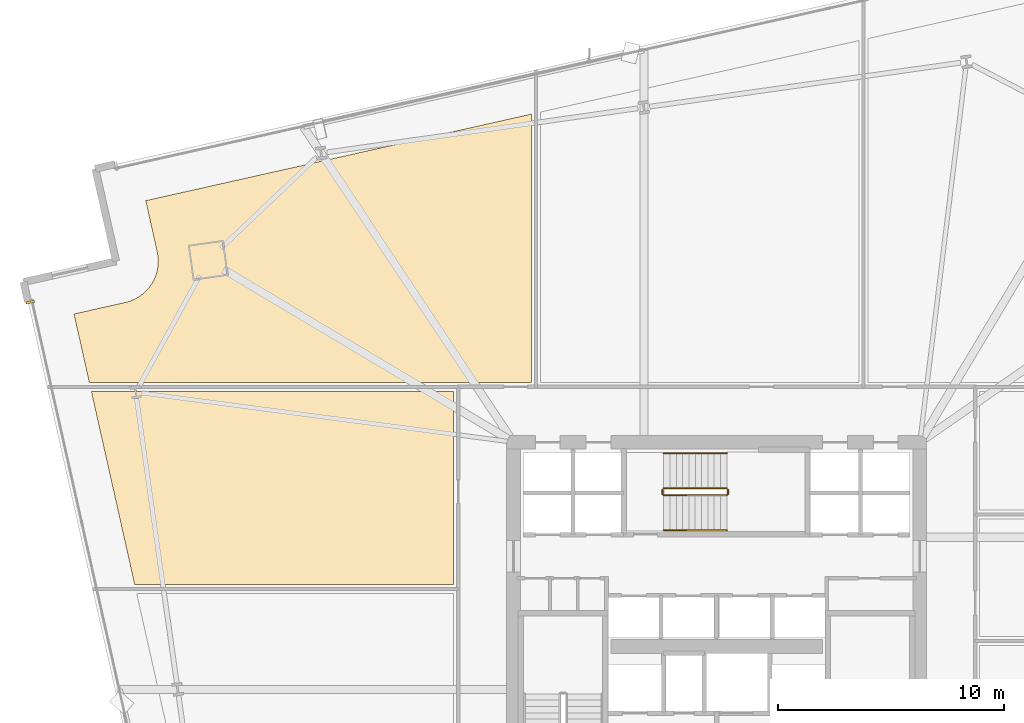
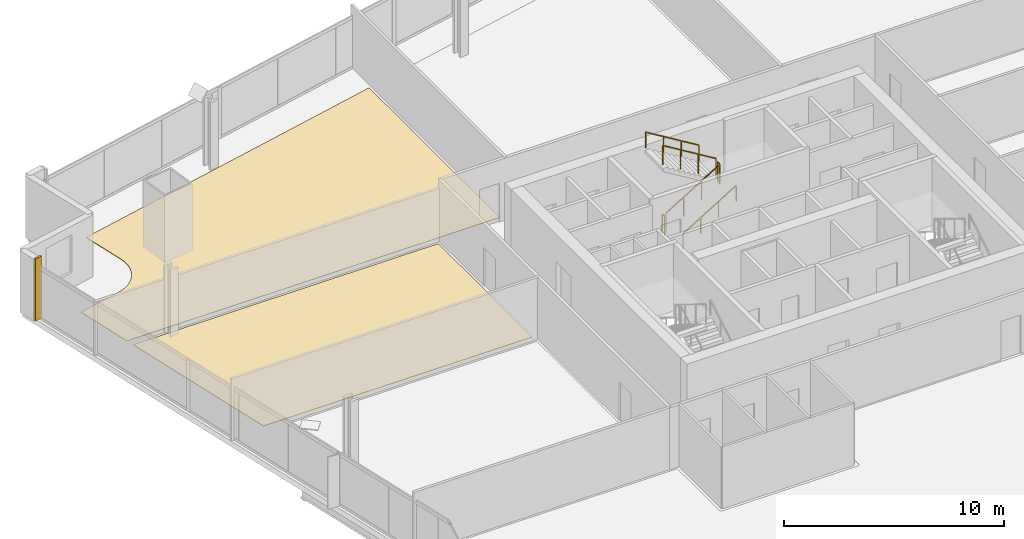
# One storey, part 31 of 32: 6 railings, 3 coverings.
"""IFC4 building model written with IfcOpenShell, lengths in metres."""

from ifc_helpers import new_model, si_unit, direction, frame, origin, origin_2d, place, context, subcontext, project, spatial, polyline, rectangle, outline, extrude, source, transform, mapped, material, layer, layer_set, type_object, element, save


model = new_model("IFC4")

# Units and contexts
model_context = context("Model", 3, precision=1e-05, world=origin(), true_north=direction((0.0, 1.0)))
body_context = subcontext(model_context, "Body", "Model", "MODEL_VIEW")
ifc_project = project(units=[si_unit("LENGTHUNIT", "METRE"), si_unit("AREAUNIT", "SQUARE_METRE"), si_unit("VOLUMEUNIT", "CUBIC_METRE"), si_unit("PLANEANGLEUNIT", "RADIAN"), si_unit("MASSUNIT", "GRAM", prefix="KILO")], contexts=[model_context])

# Site, building, storey
site_placement = place(None, origin())
site = spatial("IfcSite", under=ifc_project, at=site_placement, CompositionType="ELEMENT")
building_placement = place(site_placement, origin())
building = spatial("IfcBuilding", under=site, at=building_placement, Name="Haldenkirk Collegiate Tower", CompositionType="ELEMENT")
storey_placement = place(building_placement, frame((0.0, 0.0, 70.199951171875)))
storey = spatial("IfcBuildingStorey", under=building, at=storey_placement, Name="L16", CompositionType="ELEMENT", Elevation=70.199951171875)

# Coverings
ifc_material_1 = material(Name="Polished collegiate terrazzo", Category="concrete")
ifc_layer_1 = layer(ifc_material_1, 0.02490234375)
ifc_layer_set_1 = layer_set([ifc_layer_1], Name="Polished collegiate terrazzo")
covering_type_1 = type_object("IfcCoveringType", Name="COV-FLOOR-TERRAZZO", PredefinedType="FLOORING", material=ifc_layer_set_1)
covering_1_placement = place(storey_placement, origin())
element("IfcCovering", 1, at=covering_1_placement, inside=storey, type_object=covering_type_1, Name="L16 academic room finish 02", PredefinedType="FLOORING", context=body_context, shape_type="SweptSolid", body=[
    extrude(outline(polyline([(9.80712890625, 40.188232421875), (9.812744140625, 40.189697265625), (9.978271484375, 40.235595703125), (9.989501953125, 40.2392578125), (10.149658203125, 40.301025390625), (10.160400390625, 40.305908203125), (10.313720703125, 40.383056640625), (10.32421875, 40.388916015625), (10.46923828125, 40.480712890625), (10.478759765625, 40.4873046875), (10.6142578125, 40.593017578125), (10.623046875, 40.600830078125), (10.74755859375, 40.71923828125), (10.755615234375, 40.727783203125), (10.867919921875, 40.857666015625), (10.875, 40.866943359375), (10.97412109375, 41.00732421875), (10.980224609375, 41.017333984375), (11.06494140625, 41.166748046875), (11.0703125, 41.17724609375), (11.139892578125, 41.334228515625), (11.14404296875, 41.34521484375), (11.197998046875, 41.50830078125), (11.201171875, 41.519775390625), (11.23876953125, 41.687255859375), (11.24072265625, 41.69873046875), (11.26171875, 41.869384765625), (11.2626953125, 41.881103515625), (11.26708984375, 42.052734375), (11.2666015625, 42.064453125), (11.254150390625, 42.235595703125), (11.252685546875, 42.247314453125), (11.22314453125, 42.416748046875), (11.22216796875, 42.422607421875), (10.7119140625, 44.69580078125), (27.800048828125, 48.53125), (27.800048828125, 36.64990234375), (8.21337890625, 36.64990234375), (7.53369140625, 39.677978515625), (9.80712890625, 40.188232421875)])), origin(), (0.0, 0.0, 1.0), 0.025146484375),
])
covering_2_placement = place(storey_placement, origin())
element("IfcCovering", 2, at=covering_2_placement, inside=storey, type_object=covering_type_1, Name="L16 academic room finish 06", PredefinedType="FLOORING", context=body_context, shape_type="SweptSolid", body=[
    extrude(outline(polyline([(8.302978515625, 36.25), (24.35009765625, 36.25), (24.35009765625, 27.699951171875), (10.22216796875, 27.699951171875), (8.302978515625, 36.25)])), origin(), (0.0, 0.0, 1.0), 0.025146484375),
])

# Railings
ifc_material_2 = material(Name="Painted architectural tubular steel", Category="steel")
railing_type_1 = type_object("IfcRailingType", Name="RLG-STAIR-GUARD-1100", PredefinedType="BALUSTRADE", material=ifc_material_2)
railing_1_placement = place(storey_placement, frame((33.64990234375, 31.64990234375, 0.17041015625)))
element("IfcRailing", 3, at=railing_1_placement, inside=storey, type_object=railing_type_1, Name="L16 ST-3 stair guard 1", PredefinedType="BALUSTRADE", context=body_context, shape_type="SweptSolid", body=[
    extrude(rectangle(XDim=0.048095703125, YDim=0.048095703125, at=origin_2d()), frame((0.0, 0.0, 1.076171875), z_axis=(0.854169791009, 0.0, 0.51999420009), x_axis=(0.0, 1.0, 0.0)), (0.0, 0.0, 1.0), 3.278076171875),
    extrude(rectangle(XDim=0.0419921875, YDim=0.0419921875, at=origin_2d()), origin(), (0.0, 0.0, 1.0), 1.052001953125),
    extrude(rectangle(XDim=0.0419921875, YDim=0.0419921875, at=origin_2d()), frame((0.933349609375, 0.0, 0.568115234375)), (0.0, 0.0, 1.0), 1.052001953125),
    extrude(rectangle(XDim=0.0419921875, YDim=0.0419921875, at=origin_2d()), frame((1.86669921875, 0.0, 1.136474609375)), (0.0, 0.0, 1.0), 1.052001953125),
    extrude(rectangle(XDim=0.0419921875, YDim=0.0419921875, at=origin_2d()), frame((2.800048828125, 0.0, 1.70458984375)), (0.0, 0.0, 1.0), 1.052001953125),
])
railing_2_placement = place(storey_placement, frame((36.5, 31.699951171875, 1.875)))
element("IfcRailing", 4, at=railing_2_placement, inside=storey, type_object=railing_type_1, Name="L16 ST-3 stair guard 2", PredefinedType="BALUSTRADE", context=body_context, shape_type="SweptSolid", body=[
    extrude(rectangle(XDim=0.048095703125, YDim=0.048095703125, at=origin_2d()), frame((0.0, 0.0, 1.076171875), z_axis=(0.0, 1.0, 0.0), x_axis=(-1.0, 0.0, 0.0)), (0.0, 0.0, 1.0), 0.199951171875),
    extrude(rectangle(XDim=0.0419921875, YDim=0.0419921875, at=origin_2d()), origin(), (0.0, 0.0, 1.0), 1.052001953125),
    extrude(rectangle(XDim=0.0419921875, YDim=0.0419921875, at=origin_2d()), frame((0.0, 0.199951171875, 0.0)), (0.0, 0.0, 1.0), 1.052001953125),
])
railing_3_placement = place(storey_placement, frame((36.449951171875, 31.949951171875, 2.04541015625)))
element("IfcRailing", 5, at=railing_3_placement, inside=storey, type_object=railing_type_1, Name="L16 ST-3 stair guard 3", PredefinedType="BALUSTRADE", context=body_context, shape_type="SweptSolid", body=[
    extrude(rectangle(XDim=0.048095703125, YDim=0.048095703125, at=origin_2d()), frame((0.0, 0.0, 1.076171875), z_axis=(-0.854169791009, 0.0, 0.51999420009), x_axis=(0.0, -1.0, 0.0)), (0.0, 0.0, 1.0), 3.278076171875),
    extrude(rectangle(XDim=0.0419921875, YDim=0.0419921875, at=origin_2d()), origin(), (0.0, 0.0, 1.0), 1.052001953125),
    extrude(rectangle(XDim=0.0419921875, YDim=0.0419921875, at=origin_2d()), frame((-0.933349609375, 0.0, 0.568115234375)), (0.0, 0.0, 1.0), 1.052001953125),
    extrude(rectangle(XDim=0.0419921875, YDim=0.0419921875, at=origin_2d()), frame((-1.86669921875, 0.0, 1.136474609375)), (0.0, 0.0, 1.0), 1.052001953125),
    extrude(rectangle(XDim=0.0419921875, YDim=0.0419921875, at=origin_2d()), frame((-2.800048828125, 0.0, 1.70458984375)), (0.0, 0.0, 1.0), 1.052001953125),
])
railing_4_placement = place(storey_placement, frame((33.60009765625, 31.699951171875, 0.0)))
element("IfcRailing", 6, at=railing_4_placement, inside=storey, type_object=railing_type_1, Name="L16 ST-3 stair guard 4", PredefinedType="BALUSTRADE", context=body_context, shape_type="SweptSolid", body=[
    extrude(rectangle(XDim=0.048095703125, YDim=0.048095703125, at=origin_2d()), frame((0.0, 0.0, 1.076171875), z_axis=(0.0, 1.0, 0.0), x_axis=(-1.0, 0.0, 0.0)), (0.0, 0.0, 1.0), 0.199951171875),
    extrude(rectangle(XDim=0.0419921875, YDim=0.0419921875, at=origin_2d()), origin(), (0.0, 0.0, 1.0), 1.052001953125),
    extrude(rectangle(XDim=0.0419921875, YDim=0.0419921875, at=origin_2d()), frame((0.0, 0.199951171875, 0.0)), (0.0, 0.0, 1.0), 1.052001953125),
])
railing_type_2 = type_object("IfcRailingType", Name="RLG-STAIR-HANDRAIL-900", PredefinedType="HANDRAIL", material=ifc_material_2)
railing_5_placement = place(storey_placement, frame((33.64990234375, 30.10009765625, 0.17041015625)))
element("IfcRailing", 7, at=railing_5_placement, inside=storey, type_object=railing_type_2, Name="L16 ST-3 stair handrail 1", PredefinedType="HANDRAIL", context=body_context, shape_type="SweptSolid", body=[
    extrude(rectangle(XDim=0.048095703125, YDim=0.048095703125, at=origin_2d()), frame((0.0, 0.0, 0.8759765625), z_axis=(0.854169791009, 0.0, 0.51999420009), x_axis=(0.0, 1.0, 0.0)), (0.0, 0.0, 1.0), 3.278076171875),
    extrude(rectangle(XDim=0.0419921875, YDim=0.0419921875, at=origin_2d()), origin(), (0.0, 0.0, 1.0), 0.851806640625),
    extrude(rectangle(XDim=0.0419921875, YDim=0.0419921875, at=origin_2d()), frame((0.933349609375, 0.0, 0.568115234375)), (0.0, 0.0, 1.0), 0.851806640625),
    extrude(rectangle(XDim=0.0419921875, YDim=0.0419921875, at=origin_2d()), frame((1.86669921875, 0.0, 1.136474609375)), (0.0, 0.0, 1.0), 0.851806640625),
    extrude(rectangle(XDim=0.0419921875, YDim=0.0419921875, at=origin_2d()), frame((2.800048828125, 0.0, 1.70458984375)), (0.0, 0.0, 1.0), 0.851806640625),
])
railing_6_placement = place(storey_placement, frame((36.449951171875, 33.5, 2.04541015625)))
element("IfcRailing", 8, at=railing_6_placement, inside=storey, type_object=railing_type_2, Name="L16 ST-3 stair handrail 2", PredefinedType="HANDRAIL", context=body_context, shape_type="SweptSolid", body=[
    extrude(rectangle(XDim=0.048095703125, YDim=0.048095703125, at=origin_2d()), frame((0.0, 0.0, 0.8759765625), z_axis=(-0.854169791009, 0.0, 0.51999420009), x_axis=(0.0, -1.0, 0.0)), (0.0, 0.0, 1.0), 3.278076171875),
    extrude(rectangle(XDim=0.0419921875, YDim=0.0419921875, at=origin_2d()), origin(), (0.0, 0.0, 1.0), 0.851806640625),
    extrude(rectangle(XDim=0.0419921875, YDim=0.0419921875, at=origin_2d()), frame((-0.933349609375, 0.0, 0.568115234375)), (0.0, 0.0, 1.0), 0.851806640625),
    extrude(rectangle(XDim=0.0419921875, YDim=0.0419921875, at=origin_2d()), frame((-1.86669921875, 0.0, 1.136474609375)), (0.0, 0.0, 1.0), 0.851806640625),
    extrude(rectangle(XDim=0.0419921875, YDim=0.0419921875, at=origin_2d()), frame((-2.800048828125, 0.0, 1.70458984375)), (0.0, 0.0, 1.0), 0.851806640625),
])

# Covering
ifc_material_3 = material(Name="Anodised architectural bronze aluminium", Category="aluminium")
ifc_layer_2 = layer(ifc_material_3, 0.06005859375)
ifc_layer_set_2 = layer_set([ifc_layer_2], Name="Anodised architectural bronze aluminium")
covering_type_2 = type_object("IfcCoveringType", Name="COV-CLAD-BRONZE-60", PredefinedType="CLADDING", material=ifc_layer_set_2)
shared_shape = source(origin(), body_context, "Body", "SweptSolid", [
    extrude(rectangle(XDim=0.10009765625, YDim=0.3798828125, at=origin_2d()), origin(), (0.0, 0.0, 1.0), 3.43994140625),
])
covering_3_placement = place(storey_placement, frame((5.591064453125, 40.205322265625, 0.0), z_axis=(0.0, 0.0, 1.0), x_axis=(-0.218994806262, 0.975726024471, 0.0)))
element("IfcCovering", 9, at=covering_3_placement, inside=storey, type_object=covering_type_2, Name="L16 recessed curtain-wall bronze jamb closure WJR", PredefinedType="CLADDING", context=body_context, shape_type="MappedRepresentation", body=[
    mapped(shared_shape, transform((0.0, 0.0, 0.0), x_axis=(1.0, 0.0, 0.0), y_axis=(0.0, 1.0, 0.0), z_axis=(0.0, 0.0, 1.0), scale=1.0)),
])

save(model, "model.ifc")
